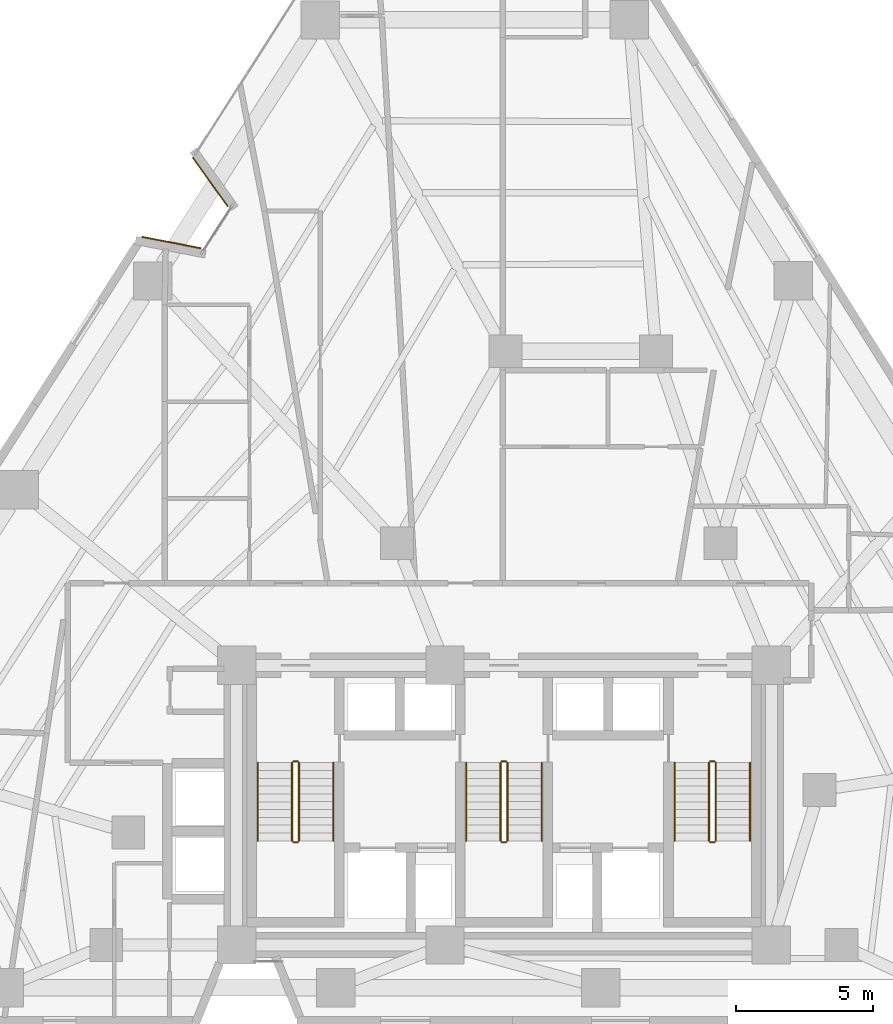
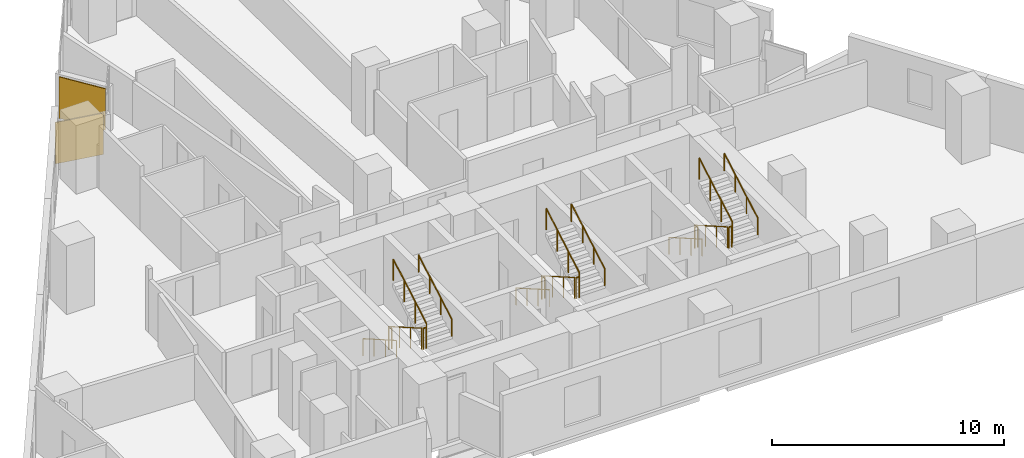
# One storey, part 11 of 12: 18 railings, 2 coverings.
"""IFC4 building model written with IfcOpenShell, lengths in metres."""

import ifcopenshell
import ifcopenshell.guid

model = None  # the IFC model being written
_history = None  # IfcOwnerHistory: only IFC2X3 demands one
_inside = {}  # id of a spatial element -> (the spatial element, [elements in it])
_under = {}  # id of a project, library or spatial element -> (it, [spatial elements below it])
_declared = {}  # id of a project -> (the project, [libraries it declares])
_typed = {}  # id of a type object -> (the type object, [elements of that type])
_made_of = {}  # id of a material, layer set ... -> (it, [elements and type objects made of it])


def new_model(schema):
    """Start an empty IFC model of exactly this schema.

    Asked for "IFC4X3", IfcOpenShell would pick the latest addendum, in which some entities
    have other attributes; the version numbers below select the first issue.
    IFC2X3 requires an IfcOwnerHistory on every rooted entity: one is made here for all.
    """
    global model, _history
    if schema == "IFC4X3":
        model = ifcopenshell.file(schema_version=(4, 3, 0, 0))
    else:
        model = ifcopenshell.file(schema=schema)
    _inside.clear()
    _under.clear()
    _declared.clear()
    _typed.clear()
    _made_of.clear()
    _history = None
    if model.schema == "IFC2X3":
        org = make("IfcOrganization", Name="unknown")
        user = make(
            "IfcPersonAndOrganization",
            ThePerson=make("IfcPerson", FamilyName="unknown"),
            TheOrganization=org,
        )
        app = make(
            "IfcApplication",
            ApplicationDeveloper=org,
            Version="unknown",
            ApplicationFullName="unknown",
            ApplicationIdentifier="unknown",
        )
        _history = make(
            "IfcOwnerHistory",
            OwningUser=user,
            OwningApplication=app,
            ChangeAction="ADDED",
            CreationDate=0,
        )
    return model


def make(cls, **values):
    """One entity of the class cls with the attributes given. An attribute that is None is left unset."""
    return model.create_entity(
        cls, **{name: value for name, value in values.items() if value is not None}
    )


def rooted(cls, **values):
    """An entity with a GlobalId (a new one), such as an element, a storey or a relation."""
    return make(cls, GlobalId=ifcopenshell.guid.new(), OwnerHistory=_history, **values)


def si_unit(unit_type, name, prefix=None):
    """IfcSIUnit, for example si_unit("LENGTHUNIT", "METRE", prefix="MILLI")."""
    return make("IfcSIUnit", UnitType=unit_type, Prefix=prefix, Name=name)


def assignment(units):
    """IfcUnitAssignment: the units of a project."""
    return None if units is None else make("IfcUnitAssignment", Units=units)


def point(xyz):
    """IfcCartesianPoint."""
    return None if xyz is None else make("IfcCartesianPoint", Coordinates=xyz)


def direction(xyz):
    """IfcDirection."""
    return None if xyz is None else make("IfcDirection", DirectionRatios=xyz)


def frame(location, z_axis=None, x_axis=None):
    """IfcAxis2Placement3D, a coordinate frame: its origin and axes. An axis left out is left unset."""
    return make(
        "IfcAxis2Placement3D",
        Location=point(location),
        Axis=direction(z_axis),
        RefDirection=direction(x_axis),
    )


def frame_2d(location, x_axis=None):
    """IfcAxis2Placement2D, a coordinate frame in the plane: its origin and x axis."""
    return make(
        "IfcAxis2Placement2D", Location=point(location), RefDirection=direction(x_axis)
    )


def origin():
    """The frame at (0, 0, 0) with its axes left unset."""
    return frame((0.0, 0.0, 0.0))


def origin_2d():
    """The frame at (0, 0) in the plane with its x axis left unset."""
    return frame_2d((0.0, 0.0))


def place(relative_to, where):
    """IfcLocalPlacement: puts the frame where relative to a parent placement (None: the world)."""
    return make(
        "IfcLocalPlacement", PlacementRelTo=relative_to, RelativePlacement=where
    )


def context(
    kind, dimensions, precision=None, world=None, true_north=None, identifier=None
):
    """IfcGeometricRepresentationContext, for example the 3D "Model" context."""
    return make(
        "IfcGeometricRepresentationContext",
        ContextIdentifier=identifier,
        ContextType=kind,
        CoordinateSpaceDimension=dimensions,
        Precision=precision,
        WorldCoordinateSystem=world,
        TrueNorth=true_north,
    )


def subcontext(parent, identifier, kind, view, scale=None):
    """IfcGeometricRepresentationSubContext, for example "Body" below "Model"."""
    return make(
        "IfcGeometricRepresentationSubContext",
        ContextIdentifier=identifier,
        ContextType=kind,
        ParentContext=parent,
        TargetScale=scale,
        TargetView=view,
    )


def project(units=None, contexts=None):
    """IfcProject with its units and contexts."""
    return rooted(
        "IfcProject",
        Name="project",
        RepresentationContexts=contexts,
        UnitsInContext=assignment(units),
    )


def spatial(cls, under=None, at=None, **own):
    """A site, building, storey or space (cls), placed at a placement, below another one or the project."""
    s = rooted(cls, ObjectPlacement=at, **own)
    if under is not None:
        _under.setdefault(under.id(), (under, []))[1].append(s)
    return s


def profile(cls, at=None, kind="AREA", **sizes):
    """A parametric profile (cls). Its sizes go by their IFC names, for example OverallWidth=200.0."""
    return make(cls, ProfileType=kind, Position=at, **sizes)


def rectangle(**sizes):
    """IfcRectangleProfileDef."""
    return profile("IfcRectangleProfileDef", **sizes)


def circle(**sizes):
    """IfcCircleProfileDef."""
    return profile("IfcCircleProfileDef", **sizes)


def extrude(swept, where, along, depth):
    """IfcExtrudedAreaSolid: the profile swept, set in the frame where, extruded along a direction by depth."""
    return make(
        "IfcExtrudedAreaSolid",
        SweptArea=swept,
        Position=where,
        ExtrudedDirection=direction(along),
        Depth=depth,
    )


def shape(context_of_items, identifier, shape_type, items):
    """IfcShapeRepresentation: the items that make up one representation, for example the "Body"."""
    return make(
        "IfcShapeRepresentation",
        ContextOfItems=context_of_items,
        RepresentationIdentifier=identifier,
        RepresentationType=shape_type,
        Items=items,
    )


def material(Name=None, Category=None):
    """IfcMaterial."""
    return make("IfcMaterial", Name=Name, Category=Category)


def layer(
    of_material, thickness, ventilated=None, Name=None, Category=None, Priority=None
):
    """IfcMaterialLayer: one layer of a wall or slab, of a material (None: an air gap)."""
    return make(
        "IfcMaterialLayer",
        Material=of_material,
        LayerThickness=thickness,
        IsVentilated=ventilated,
        Name=Name,
        Category=Category,
        Priority=Priority,
    )


def layer_set(layers, Name=None):
    """IfcMaterialLayerSet."""
    return make("IfcMaterialLayerSet", MaterialLayers=layers, LayerSetName=Name)


def made_of(thing, what):
    """Note that an element or type object is made of a material, layer set ...; save() writes the relation."""
    if what is not None:
        _made_of.setdefault(what.id(), (what, []))[1].append(thing)
    return thing


def type_object(cls, material=None, **own):
    """A type object (cls), such as IfcWallType, which elements share."""
    return made_of(rooted(cls, **own), material)


def element(
    cls,
    number,
    at=None,
    inside=None,
    cuts=None,
    type_object=None,
    material=None,
    context=None,
    identifier="Body",
    shape_type=None,
    held_by="IfcProductDefinitionShape",
    body=None,
    shapes=None,
    **own,
):
    """One element of the class cls, such as IfcWall. Its Tag is "e" and its number.

    at: its placement. inside: the storey or other place that contains it. cuts: it is an
    opening in that element (IfcRelVoidsElement). A single representation is given by context,
    identifier, shape_type and body (its items); several are given by shapes. held_by: the class
    of the entity that holds the representations. save() writes the other relations.
    """
    e = rooted(cls, Tag="e%d" % number, ObjectPlacement=at, **own)
    if body is not None:
        shapes = [shape(context, identifier, shape_type, body)]
    if shapes is not None:
        e.Representation = make(held_by, Representations=shapes)
    if inside is not None:
        _inside.setdefault(inside.id(), (inside, []))[1].append(e)
    if cuts is not None:
        rooted(
            "IfcRelVoidsElement", RelatingBuildingElement=cuts, RelatedOpeningElement=e
        )
    if type_object is not None:
        _typed.setdefault(type_object.id(), (type_object, []))[1].append(e)
    return made_of(e, material)


def aggregate(whole, parts):
    """IfcRelAggregates: a whole, such as a stair, and the parts it consists of."""
    return rooted("IfcRelAggregates", RelatingObject=whole, RelatedObjects=parts)


def save(model, path):
    """Write the relations noted so far, then the file.

    IfcRelAggregates (storeys below a building ...), IfcRelContainedInSpatialStructure (elements
    in a storey), IfcRelDefinesByType, IfcRelAssociatesMaterial and IfcRelDeclares: one each for
    every whole, place, type object, material and project.
    """
    for whole, parts in _under.values():
        aggregate(whole, parts)
    for where, things in _inside.values():
        rooted(
            "IfcRelContainedInSpatialStructure",
            RelatedElements=things,
            RelatingStructure=where,
        )
    for kind, things in _typed.values():
        rooted("IfcRelDefinesByType", RelatedObjects=things, RelatingType=kind)
    for what, things in _made_of.values():
        rooted("IfcRelAssociatesMaterial", RelatedObjects=things, RelatingMaterial=what)
    for by, libraries in _declared.values():
        rooted("IfcRelDeclares", RelatingContext=by, RelatedDefinitions=libraries)
    model.write(path)


model = new_model("IFC4")

# Units and contexts
model_context = context("Model", 3, precision=1e-05, world=origin(), true_north=direction((0.0, 1.0)))
body_context = subcontext(model_context, "Body", "Model", "MODEL_VIEW")
ifc_project = project(units=[si_unit("LENGTHUNIT", "METRE"), si_unit("AREAUNIT", "SQUARE_METRE"), si_unit("VOLUMEUNIT", "CUBIC_METRE"), si_unit("PLANEANGLEUNIT", "RADIAN"), si_unit("MASSUNIT", "GRAM", prefix="KILO")], contexts=[model_context])

# Site, building, storey
site_placement = place(None, origin())
site = spatial("IfcSite", under=ifc_project, at=site_placement, CompositionType="ELEMENT")
building_placement = place(site_placement, origin())
building = spatial("IfcBuilding", under=site, at=building_placement, Name="Almagre Mirador Tower", CompositionType="ELEMENT")
storey_placement = place(building_placement, frame((0.0, 0.0, 64.199951171875)))
storey = spatial("IfcBuildingStorey", under=building, at=storey_placement, Name="L15", CompositionType="ELEMENT", Elevation=64.199951171875)

# Coverings
ifc_material_1 = material(Name="Almagre terracotta architectural cladding", Category="masonry")
ifc_layer = layer(ifc_material_1, 0.044921875)
ifc_layer_set = layer_set([ifc_layer], Name="Almagre terracotta architectural cladding")
covering_type = type_object("IfcCoveringType", Name="COV-CLAD-ALMAGRE", PredefinedType="CLADDING", material=ifc_layer_set)
for number, where, z_axis, x_axis, name in (
    (1, (25.17578125, 30.164306640625, 0.10009765625), (0.0, 0.0, 1.0), (0.981760154029, -0.190123643878, 0.0), "L15 almagre terracotta pier cladding"),
    (2, (26.59130859375, 32.37451171875, 0.10009765625), (0.0, 0.0, 1.0), (-0.583002488864, 0.812470367446, 0.0), "L15 almagre terracotta pier cladding"),
):
    element("IfcCovering", number, at=place(storey_placement, frame(where, z_axis=z_axis, x_axis=x_axis)), inside=storey, type_object=covering_type, Name=name, PredefinedType="CLADDING", context=body_context, shape_type="SweptSolid", body=[
        extrude(rectangle(XDim=2.194091796875, YDim=0.044921875, at=origin_2d()), origin(), (0.0, 0.0, 1.0), 2.175048828125),
    ])

# Railings
ifc_material_2 = material(Name="Painted galvanized steel", Category="steel")
railing_type_1 = type_object("IfcRailingType", Name="RLG-GRD-1100", PredefinedType="GUARDRAIL", material=ifc_material_2)
railing_1_placement = place(storey_placement, frame((29.574951171875, 11.199951171875, 0.16357421875)))
element("IfcRailing", 3, at=railing_1_placement, inside=storey, type_object=railing_type_1, Name="L15 ST-1 stair guard 1", PredefinedType="GUARDRAIL", context=body_context, shape_type="SweptSolid", body=[
    extrude(circle(Radius=0.02392578125, at=origin_2d()), frame((0.0, 0.0, 1.09619140625), z_axis=(0.0, -0.867194282975, 0.497969954491), x_axis=(1.0, 0.0, 0.0)), (0.0, 0.0, 1.0), 3.286376953125),
    extrude(circle(Radius=0.02099609375, at=origin_2d()), origin(), (0.0, 0.0, 1.0), 1.072021484375),
    extrude(circle(Radius=0.02099609375, at=origin_2d()), frame((0.0, -0.949951171875, 0.54541015625)), (0.0, 0.0, 1.0), 1.072021484375),
    extrude(circle(Radius=0.02099609375, at=origin_2d()), frame((0.0, -1.89990234375, 1.091064453125)), (0.0, 0.0, 1.0), 1.072021484375),
    extrude(circle(Radius=0.02099609375, at=origin_2d()), frame((0.0, -2.849853515625, 1.636474609375)), (0.0, 0.0, 1.0), 1.072021484375),
])
railing_2_placement = place(storey_placement, frame((29.625, 8.300048828125, 1.800048828125)))
element("IfcRailing", 4, at=railing_2_placement, inside=storey, type_object=railing_type_1, Name="L15 ST-1 stair guard 2", PredefinedType="GUARDRAIL", context=body_context, shape_type="SweptSolid", body=[
    extrude(circle(Radius=0.02392578125, at=origin_2d()), frame((0.0, 0.0, 1.09619140625), z_axis=(1.0, 0.0, 0.0), x_axis=(0.0, 1.0, 0.0)), (0.0, 0.0, 1.0), 0.14990234375),
    extrude(circle(Radius=0.02099609375, at=origin_2d()), origin(), (0.0, 0.0, 1.0), 1.072021484375),
    extrude(circle(Radius=0.02099609375, at=origin_2d()), frame((0.14990234375, 0.0, 0.0)), (0.0, 0.0, 1.0), 1.072021484375),
])
railing_3_placement = place(storey_placement, frame((29.824951171875, 8.35009765625, 1.963623046875)))
element("IfcRailing", 5, at=railing_3_placement, inside=storey, type_object=railing_type_1, Name="L15 ST-1 stair guard 3", PredefinedType="GUARDRAIL", context=body_context, shape_type="SweptSolid", body=[
    extrude(circle(Radius=0.02392578125, at=origin_2d()), frame((0.0, 0.0, 1.09619140625), z_axis=(0.0, 0.867194282975, 0.497969954491), x_axis=(-1.0, 0.0, 0.0)), (0.0, 0.0, 1.0), 3.286376953125),
    extrude(circle(Radius=0.02099609375, at=origin_2d()), origin(), (0.0, 0.0, 1.0), 1.072021484375),
    extrude(circle(Radius=0.02099609375, at=origin_2d()), frame((0.0, 0.949951171875, 0.54541015625)), (0.0, 0.0, 1.0), 1.072021484375),
    extrude(circle(Radius=0.02099609375, at=origin_2d()), frame((0.0, 1.89990234375, 1.091064453125)), (0.0, 0.0, 1.0), 1.072021484375),
    extrude(circle(Radius=0.02099609375, at=origin_2d()), frame((0.0, 2.849853515625, 1.636474609375)), (0.0, 0.0, 1.0), 1.072021484375),
])
railing_4_placement = place(storey_placement, frame((29.625, 11.25, 0.0)))
element("IfcRailing", 6, at=railing_4_placement, inside=storey, type_object=railing_type_1, Name="L15 ST-1 stair guard 4", PredefinedType="GUARDRAIL", context=body_context, shape_type="SweptSolid", body=[
    extrude(circle(Radius=0.02392578125, at=origin_2d()), frame((0.0, 0.0, 1.09619140625), z_axis=(1.0, 0.0, 0.0), x_axis=(0.0, 1.0, 0.0)), (0.0, 0.0, 1.0), 0.14990234375),
    extrude(circle(Radius=0.02099609375, at=origin_2d()), origin(), (0.0, 0.0, 1.0), 1.072021484375),
    extrude(circle(Radius=0.02099609375, at=origin_2d()), frame((0.14990234375, 0.0, 0.0)), (0.0, 0.0, 1.0), 1.072021484375),
])
railing_5_placement = place(storey_placement, frame((37.175048828125, 11.199951171875, 0.16357421875)))
element("IfcRailing", 7, at=railing_5_placement, inside=storey, type_object=railing_type_1, Name="L15 ST-2 stair guard 1", PredefinedType="GUARDRAIL", context=body_context, shape_type="SweptSolid", body=[
    extrude(circle(Radius=0.02392578125, at=origin_2d()), frame((0.0, 0.0, 1.09619140625), z_axis=(0.0, -0.867194282975, 0.497969954491), x_axis=(1.0, 0.0, 0.0)), (0.0, 0.0, 1.0), 3.286376953125),
    extrude(circle(Radius=0.02099609375, at=origin_2d()), origin(), (0.0, 0.0, 1.0), 1.072021484375),
    extrude(circle(Radius=0.02099609375, at=origin_2d()), frame((0.0, -0.949951171875, 0.54541015625)), (0.0, 0.0, 1.0), 1.072021484375),
    extrude(circle(Radius=0.02099609375, at=origin_2d()), frame((0.0, -1.89990234375, 1.091064453125)), (0.0, 0.0, 1.0), 1.072021484375),
    extrude(circle(Radius=0.02099609375, at=origin_2d()), frame((0.0, -2.849853515625, 1.636474609375)), (0.0, 0.0, 1.0), 1.072021484375),
])
railing_6_placement = place(storey_placement, frame((37.22509765625, 8.300048828125, 1.800048828125)))
element("IfcRailing", 8, at=railing_6_placement, inside=storey, type_object=railing_type_1, Name="L15 ST-2 stair guard 2", PredefinedType="GUARDRAIL", context=body_context, shape_type="SweptSolid", body=[
    extrude(circle(Radius=0.02392578125, at=origin_2d()), frame((0.0, 0.0, 1.09619140625), z_axis=(1.0, 0.0, 0.0), x_axis=(0.0, 1.0, 0.0)), (0.0, 0.0, 1.0), 0.14990234375),
    extrude(circle(Radius=0.02099609375, at=origin_2d()), origin(), (0.0, 0.0, 1.0), 1.072021484375),
    extrude(circle(Radius=0.02099609375, at=origin_2d()), frame((0.14990234375, 0.0, 0.0)), (0.0, 0.0, 1.0), 1.072021484375),
])
railing_7_placement = place(storey_placement, frame((37.425048828125, 8.35009765625, 1.963623046875)))
element("IfcRailing", 9, at=railing_7_placement, inside=storey, type_object=railing_type_1, Name="L15 ST-2 stair guard 3", PredefinedType="GUARDRAIL", context=body_context, shape_type="SweptSolid", body=[
    extrude(circle(Radius=0.02392578125, at=origin_2d()), frame((0.0, 0.0, 1.09619140625), z_axis=(0.0, 0.867194282975, 0.497969954491), x_axis=(-1.0, 0.0, 0.0)), (0.0, 0.0, 1.0), 3.286376953125),
    extrude(circle(Radius=0.02099609375, at=origin_2d()), origin(), (0.0, 0.0, 1.0), 1.072021484375),
    extrude(circle(Radius=0.02099609375, at=origin_2d()), frame((0.0, 0.949951171875, 0.54541015625)), (0.0, 0.0, 1.0), 1.072021484375),
    extrude(circle(Radius=0.02099609375, at=origin_2d()), frame((0.0, 1.89990234375, 1.091064453125)), (0.0, 0.0, 1.0), 1.072021484375),
    extrude(circle(Radius=0.02099609375, at=origin_2d()), frame((0.0, 2.849853515625, 1.636474609375)), (0.0, 0.0, 1.0), 1.072021484375),
])
railing_8_placement = place(storey_placement, frame((37.22509765625, 11.25, 0.0)))
element("IfcRailing", 10, at=railing_8_placement, inside=storey, type_object=railing_type_1, Name="L15 ST-2 stair guard 4", PredefinedType="GUARDRAIL", context=body_context, shape_type="SweptSolid", body=[
    extrude(circle(Radius=0.02392578125, at=origin_2d()), frame((0.0, 0.0, 1.09619140625), z_axis=(1.0, 0.0, 0.0), x_axis=(0.0, 1.0, 0.0)), (0.0, 0.0, 1.0), 0.14990234375),
    extrude(circle(Radius=0.02099609375, at=origin_2d()), origin(), (0.0, 0.0, 1.0), 1.072021484375),
    extrude(circle(Radius=0.02099609375, at=origin_2d()), frame((0.14990234375, 0.0, 0.0)), (0.0, 0.0, 1.0), 1.072021484375),
])
railing_9_placement = place(storey_placement, frame((44.77490234375, 11.199951171875, 0.16357421875)))
element("IfcRailing", 11, at=railing_9_placement, inside=storey, type_object=railing_type_1, Name="L15 ST-3 stair guard 1", PredefinedType="GUARDRAIL", context=body_context, shape_type="SweptSolid", body=[
    extrude(circle(Radius=0.02392578125, at=origin_2d()), frame((0.0, 0.0, 1.09619140625), z_axis=(0.0, -0.867194282975, 0.497969954491), x_axis=(1.0, 0.0, 0.0)), (0.0, 0.0, 1.0), 3.286376953125),
    extrude(circle(Radius=0.02099609375, at=origin_2d()), origin(), (0.0, 0.0, 1.0), 1.072021484375),
    extrude(circle(Radius=0.02099609375, at=origin_2d()), frame((0.0, -0.949951171875, 0.54541015625)), (0.0, 0.0, 1.0), 1.072021484375),
    extrude(circle(Radius=0.02099609375, at=origin_2d()), frame((0.0, -1.89990234375, 1.091064453125)), (0.0, 0.0, 1.0), 1.072021484375),
    extrude(circle(Radius=0.02099609375, at=origin_2d()), frame((0.0, -2.849853515625, 1.636474609375)), (0.0, 0.0, 1.0), 1.072021484375),
])
railing_10_placement = place(storey_placement, frame((44.824951171875, 8.300048828125, 1.800048828125)))
element("IfcRailing", 12, at=railing_10_placement, inside=storey, type_object=railing_type_1, Name="L15 ST-3 stair guard 2", PredefinedType="GUARDRAIL", context=body_context, shape_type="SweptSolid", body=[
    extrude(circle(Radius=0.02392578125, at=origin_2d()), frame((0.0, 0.0, 1.09619140625), z_axis=(1.0, 0.0, 0.0), x_axis=(0.0, 1.0, 0.0)), (0.0, 0.0, 1.0), 0.150146484375),
    extrude(circle(Radius=0.02099609375, at=origin_2d()), origin(), (0.0, 0.0, 1.0), 1.072021484375),
    extrude(circle(Radius=0.02099609375, at=origin_2d()), frame((0.150146484375, 0.0, 0.0)), (0.0, 0.0, 1.0), 1.072021484375),
])
railing_11_placement = place(storey_placement, frame((45.02490234375, 8.35009765625, 1.963623046875)))
element("IfcRailing", 13, at=railing_11_placement, inside=storey, type_object=railing_type_1, Name="L15 ST-3 stair guard 3", PredefinedType="GUARDRAIL", context=body_context, shape_type="SweptSolid", body=[
    extrude(circle(Radius=0.02392578125, at=origin_2d()), frame((0.0, 0.0, 1.09619140625), z_axis=(0.0, 0.867194282975, 0.497969954491), x_axis=(-1.0, 0.0, 0.0)), (0.0, 0.0, 1.0), 3.286376953125),
    extrude(circle(Radius=0.02099609375, at=origin_2d()), origin(), (0.0, 0.0, 1.0), 1.072021484375),
    extrude(circle(Radius=0.02099609375, at=origin_2d()), frame((0.0, 0.949951171875, 0.54541015625)), (0.0, 0.0, 1.0), 1.072021484375),
    extrude(circle(Radius=0.02099609375, at=origin_2d()), frame((0.0, 1.89990234375, 1.091064453125)), (0.0, 0.0, 1.0), 1.072021484375),
    extrude(circle(Radius=0.02099609375, at=origin_2d()), frame((0.0, 2.849853515625, 1.636474609375)), (0.0, 0.0, 1.0), 1.072021484375),
])
railing_12_placement = place(storey_placement, frame((44.824951171875, 11.25, 0.0)))
element("IfcRailing", 14, at=railing_12_placement, inside=storey, type_object=railing_type_1, Name="L15 ST-3 stair guard 4", PredefinedType="GUARDRAIL", context=body_context, shape_type="SweptSolid", body=[
    extrude(circle(Radius=0.02392578125, at=origin_2d()), frame((0.0, 0.0, 1.09619140625), z_axis=(1.0, 0.0, 0.0), x_axis=(0.0, 1.0, 0.0)), (0.0, 0.0, 1.0), 0.150146484375),
    extrude(circle(Radius=0.02099609375, at=origin_2d()), origin(), (0.0, 0.0, 1.0), 1.072021484375),
    extrude(circle(Radius=0.02099609375, at=origin_2d()), frame((0.150146484375, 0.0, 0.0)), (0.0, 0.0, 1.0), 1.072021484375),
])
ifc_material_3 = material(Name="Brushed stainless steel", Category="steel")
railing_type_2 = type_object("IfcRailingType", Name="RLG-HND-915", PredefinedType="HANDRAIL", material=ifc_material_3)
railing_13_placement = place(storey_placement, frame((28.324951171875, 11.199951171875, 0.16357421875)))
element("IfcRailing", 15, at=railing_13_placement, inside=storey, type_object=railing_type_2, Name="L15 ST-1 stair handrail 1", PredefinedType="HANDRAIL", context=body_context, shape_type="SweptSolid", body=[
    extrude(circle(Radius=0.02392578125, at=origin_2d()), frame((0.0, 0.0, 0.89111328125), z_axis=(0.0, -0.867194282975, 0.497969954491), x_axis=(1.0, 0.0, 0.0)), (0.0, 0.0, 1.0), 3.286376953125),
    extrude(circle(Radius=0.02099609375, at=origin_2d()), origin(), (0.0, 0.0, 1.0), 0.866943359375),
    extrude(circle(Radius=0.02099609375, at=origin_2d()), frame((0.0, -0.949951171875, 0.54541015625)), (0.0, 0.0, 1.0), 0.866943359375),
    extrude(circle(Radius=0.02099609375, at=origin_2d()), frame((0.0, -1.89990234375, 1.091064453125)), (0.0, 0.0, 1.0), 0.866943359375),
    extrude(circle(Radius=0.02099609375, at=origin_2d()), frame((0.0, -2.849853515625, 1.636474609375)), (0.0, 0.0, 1.0), 0.866943359375),
])
railing_14_placement = place(storey_placement, frame((31.074951171875, 8.35009765625, 1.963623046875)))
element("IfcRailing", 16, at=railing_14_placement, inside=storey, type_object=railing_type_2, Name="L15 ST-1 stair handrail 2", PredefinedType="HANDRAIL", context=body_context, shape_type="SweptSolid", body=[
    extrude(circle(Radius=0.02392578125, at=origin_2d()), frame((0.0, 0.0, 0.89111328125), z_axis=(0.0, 0.867194282975, 0.497969954491), x_axis=(-1.0, 0.0, 0.0)), (0.0, 0.0, 1.0), 3.286376953125),
    extrude(circle(Radius=0.02099609375, at=origin_2d()), origin(), (0.0, 0.0, 1.0), 0.866943359375),
    extrude(circle(Radius=0.02099609375, at=origin_2d()), frame((0.0, 0.949951171875, 0.54541015625)), (0.0, 0.0, 1.0), 0.866943359375),
    extrude(circle(Radius=0.02099609375, at=origin_2d()), frame((0.0, 1.89990234375, 1.091064453125)), (0.0, 0.0, 1.0), 0.866943359375),
    extrude(circle(Radius=0.02099609375, at=origin_2d()), frame((0.0, 2.849853515625, 1.636474609375)), (0.0, 0.0, 1.0), 0.866943359375),
])
railing_15_placement = place(storey_placement, frame((35.925048828125, 11.199951171875, 0.16357421875)))
element("IfcRailing", 17, at=railing_15_placement, inside=storey, type_object=railing_type_2, Name="L15 ST-2 stair handrail 1", PredefinedType="HANDRAIL", context=body_context, shape_type="SweptSolid", body=[
    extrude(circle(Radius=0.02392578125, at=origin_2d()), frame((0.0, 0.0, 0.89111328125), z_axis=(0.0, -0.867194282975, 0.497969954491), x_axis=(1.0, 0.0, 0.0)), (0.0, 0.0, 1.0), 3.286376953125),
    extrude(circle(Radius=0.02099609375, at=origin_2d()), origin(), (0.0, 0.0, 1.0), 0.866943359375),
    extrude(circle(Radius=0.02099609375, at=origin_2d()), frame((0.0, -0.949951171875, 0.54541015625)), (0.0, 0.0, 1.0), 0.866943359375),
    extrude(circle(Radius=0.02099609375, at=origin_2d()), frame((0.0, -1.89990234375, 1.091064453125)), (0.0, 0.0, 1.0), 0.866943359375),
    extrude(circle(Radius=0.02099609375, at=origin_2d()), frame((0.0, -2.849853515625, 1.636474609375)), (0.0, 0.0, 1.0), 0.866943359375),
])
railing_16_placement = place(storey_placement, frame((38.675048828125, 8.35009765625, 1.963623046875)))
element("IfcRailing", 18, at=railing_16_placement, inside=storey, type_object=railing_type_2, Name="L15 ST-2 stair handrail 2", PredefinedType="HANDRAIL", context=body_context, shape_type="SweptSolid", body=[
    extrude(circle(Radius=0.02392578125, at=origin_2d()), frame((0.0, 0.0, 0.89111328125), z_axis=(0.0, 0.867194282975, 0.497969954491), x_axis=(-1.0, 0.0, 0.0)), (0.0, 0.0, 1.0), 3.286376953125),
    extrude(circle(Radius=0.02099609375, at=origin_2d()), origin(), (0.0, 0.0, 1.0), 0.866943359375),
    extrude(circle(Radius=0.02099609375, at=origin_2d()), frame((0.0, 0.949951171875, 0.54541015625)), (0.0, 0.0, 1.0), 0.866943359375),
    extrude(circle(Radius=0.02099609375, at=origin_2d()), frame((0.0, 1.89990234375, 1.091064453125)), (0.0, 0.0, 1.0), 0.866943359375),
    extrude(circle(Radius=0.02099609375, at=origin_2d()), frame((0.0, 2.849853515625, 1.636474609375)), (0.0, 0.0, 1.0), 0.866943359375),
])
railing_17_placement = place(storey_placement, frame((43.52490234375, 11.199951171875, 0.16357421875)))
element("IfcRailing", 19, at=railing_17_placement, inside=storey, type_object=railing_type_2, Name="L15 ST-3 stair handrail 1", PredefinedType="HANDRAIL", context=body_context, shape_type="SweptSolid", body=[
    extrude(circle(Radius=0.02392578125, at=origin_2d()), frame((0.0, 0.0, 0.89111328125), z_axis=(0.0, -0.867194282975, 0.497969954491), x_axis=(1.0, 0.0, 0.0)), (0.0, 0.0, 1.0), 3.286376953125),
    extrude(circle(Radius=0.02099609375, at=origin_2d()), origin(), (0.0, 0.0, 1.0), 0.866943359375),
    extrude(circle(Radius=0.02099609375, at=origin_2d()), frame((0.0, -0.949951171875, 0.54541015625)), (0.0, 0.0, 1.0), 0.866943359375),
    extrude(circle(Radius=0.02099609375, at=origin_2d()), frame((0.0, -1.89990234375, 1.091064453125)), (0.0, 0.0, 1.0), 0.866943359375),
    extrude(circle(Radius=0.02099609375, at=origin_2d()), frame((0.0, -2.849853515625, 1.636474609375)), (0.0, 0.0, 1.0), 0.866943359375),
])
railing_18_placement = place(storey_placement, frame((46.27490234375, 8.35009765625, 1.963623046875)))
element("IfcRailing", 20, at=railing_18_placement, inside=storey, type_object=railing_type_2, Name="L15 ST-3 stair handrail 2", PredefinedType="HANDRAIL", context=body_context, shape_type="SweptSolid", body=[
    extrude(circle(Radius=0.02392578125, at=origin_2d()), frame((0.0, 0.0, 0.89111328125), z_axis=(0.0, 0.867194282975, 0.497969954491), x_axis=(-1.0, 0.0, 0.0)), (0.0, 0.0, 1.0), 3.286376953125),
    extrude(circle(Radius=0.02099609375, at=origin_2d()), origin(), (0.0, 0.0, 1.0), 0.866943359375),
    extrude(circle(Radius=0.02099609375, at=origin_2d()), frame((0.0, 0.949951171875, 0.54541015625)), (0.0, 0.0, 1.0), 0.866943359375),
    extrude(circle(Radius=0.02099609375, at=origin_2d()), frame((0.0, 1.89990234375, 1.091064453125)), (0.0, 0.0, 1.0), 0.866943359375),
    extrude(circle(Radius=0.02099609375, at=origin_2d()), frame((0.0, 2.849853515625, 1.636474609375)), (0.0, 0.0, 1.0), 0.866943359375),
])

save(model, "model.ifc")
